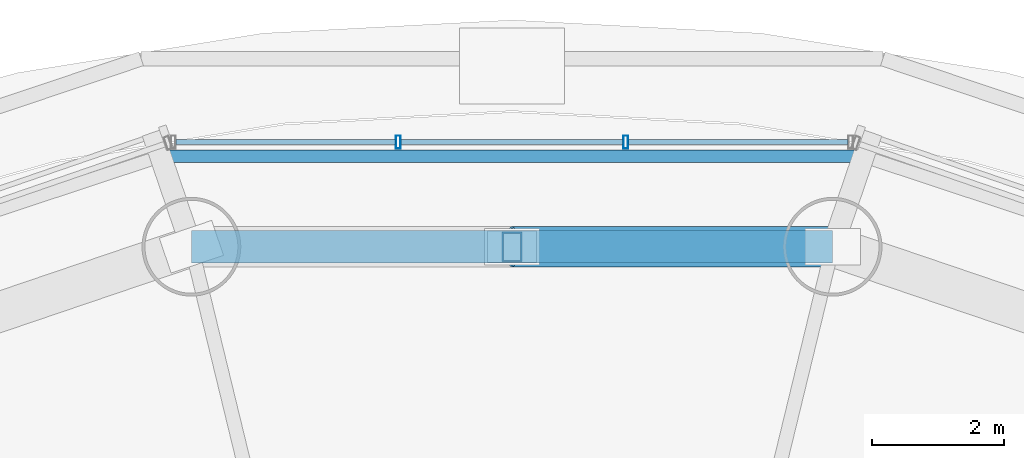
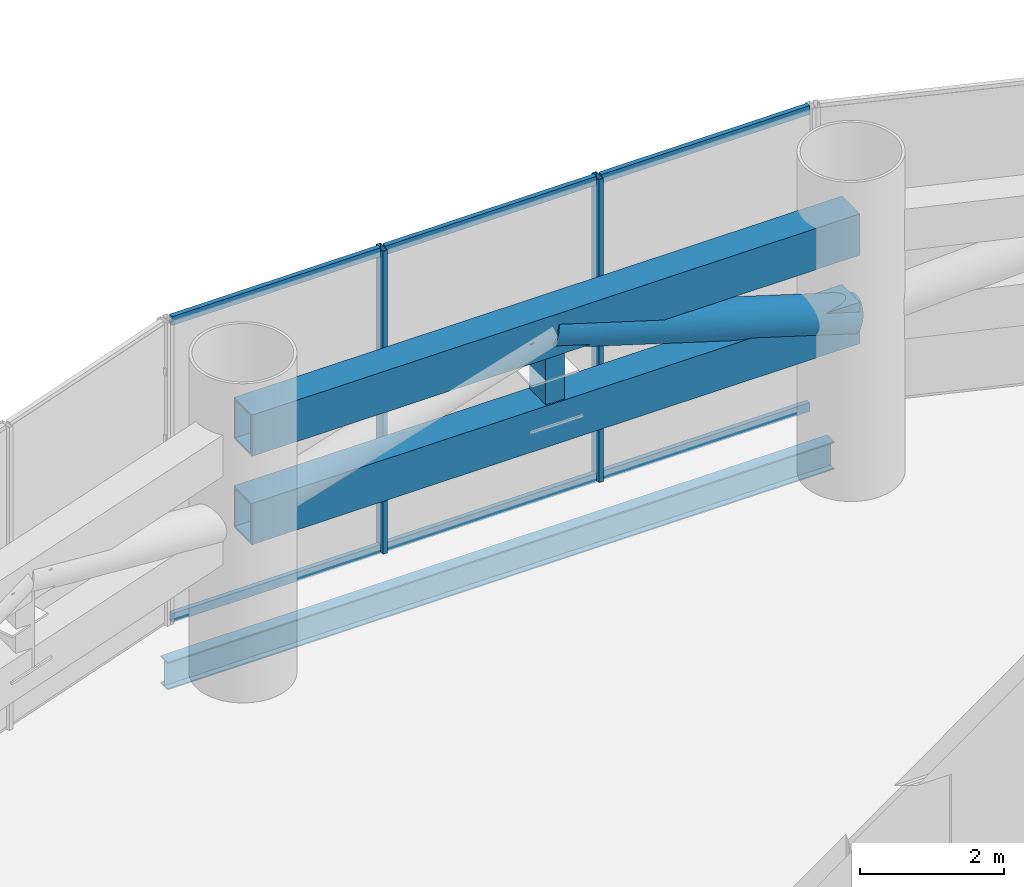
# One storey, part 21 of 33: 12 members, 1 beam, 1 element without a shape of its own.
"""IFC4 building model written with IfcOpenShell, lengths in metres."""

from ifc_helpers import new_model, si_unit, direction, frame, origin, origin_2d, place, context, subcontext, project, spatial, hollow_rectangle, hollow_circle, i_section, extrude, source, transform, mapped, material, material_profile, profile_set, type_object, element, aggregate, save


model = new_model("IFC4")

# Units and contexts
model_context = context("Model", 3, precision=1e-05, world=origin(), true_north=direction((-0.2419218956, 0.970295726276)))
body_context = subcontext(model_context, "Body", "Model", "MODEL_VIEW")
ifc_project = project(units=[si_unit("LENGTHUNIT", "METRE"), si_unit("AREAUNIT", "SQUARE_METRE"), si_unit("VOLUMEUNIT", "CUBIC_METRE"), si_unit("PLANEANGLEUNIT", "RADIAN"), si_unit("MASSUNIT", "GRAM", prefix="KILO")], contexts=[model_context])

# Site, building, storey
site_placement = place(None, origin())
site = spatial("IfcSite", under=ifc_project, at=site_placement, CompositionType="ELEMENT")
building_placement = place(site_placement, origin())
building = spatial("IfcBuilding", under=site, at=building_placement, Name="Cobrevalo Terracotta Tower", CompositionType="ELEMENT")
storey_placement = place(building_placement, frame((0.0, 0.0, 74.39990234375)))
storey = spatial("IfcBuildingStorey", under=building, at=storey_placement, Name="L19", CompositionType="ELEMENT", Elevation=74.39990234375)

# Beam
ifc_material_1 = material(Name="Steel S355", Category="steel")
ifc_material_profile_1 = material_profile(ifc_material_1, i_section(OverallWidth=0.194091796875, OverallDepth=0.468994140625, WebThickness=0.011474609375, FlangeThickness=0.0205078125, at=origin_2d()), Name="W 460x106")
ifc_profile_set_1 = profile_set([ifc_material_profile_1], Name="Steel S355")
beam_type = type_object("IfcBeamType", Name="Structural Spandrel W 460x106 (Steel S355)", PredefinedType="SPANDREL", material=ifc_profile_set_1)
beam_placement = place(storey_placement, frame((43.335693359375, 48.230224609375, -0.684326171875), z_axis=(-1.0, 0.0, 0.0), x_axis=(0.0, -1.0, 0.0)))
element("IfcBeam", 1, at=beam_placement, inside=storey, type_object=beam_type, Name="L19 perimeter ring spandrel 04", PredefinedType="SPANDREL", context=body_context, shape_type="SweptSolid", body=[
    extrude(i_section(OverallWidth=0.194091796875, OverallDepth=0.468994140625, WebThickness=0.011474609375, FlangeThickness=0.0205078125, at=origin_2d()), origin(), (0.0, 0.0, 1.0), 10.67138671875),
])

# Members
ifc_material_profile_2 = material_profile(ifc_material_1, hollow_rectangle(XDim=0.300048828125, YDim=0.449951171875, WallThickness=0.02001953125, at=origin_2d()), Name="RHS 450x300x20")
ifc_profile_set_2 = profile_set([ifc_material_profile_2], Name="Steel S355")
member_type_1 = type_object("IfcMemberType", Name="Steel Post RHS 450x300x20 (Steel S355)", PredefinedType="POST", material=ifc_profile_set_2)
shared_shape_1 = source(origin(), body_context, "Body", "SweptSolid", [
    extrude(hollow_rectangle(XDim=0.300048828125, YDim=0.449951171875, WallThickness=0.02001953125, at=origin_2d()), origin(), (0.0, 0.0, 1.0), 1.494873046875),
])
member_1_placement = place(storey_placement, frame((38.0, 46.857177734375, 2.650146484375), z_axis=(0.0, 0.0, 1.0), x_axis=(1.0, 0.0, 0.0)))
element("IfcMember", 2, at=member_1_placement, inside=storey, type_object=member_type_1, Name="L19 belt truss post 04", PredefinedType="POST", context=body_context, shape_type="MappedRepresentation", body=[
    mapped(shared_shape_1, transform((0.0, 0.0, 0.0), scale=1.0)),
])
ifc_material_profile_3 = material_profile(ifc_material_1, hollow_rectangle(XDim=0.5, YDim=0.699951171875, WallThickness=0.031982421875, at=origin_2d()), Name="RHS 700x500x32")
ifc_profile_set_3 = profile_set([ifc_material_profile_3], Name="Steel S355")
member_type_2 = type_object("IfcMemberType", Name="Steel Chord RHS 700x500x32 (Steel S355)", PredefinedType="CHORD", material=ifc_profile_set_3)
shared_shape_2 = source(origin(), body_context, "Body", "SweptSolid", [
    extrude(hollow_rectangle(XDim=0.5, YDim=0.699951171875, WallThickness=0.031982421875, at=origin_2d()), origin(), (0.0, 0.0, 1.0), 9.73486328125),
])
for number, where, z_axis, x_axis, name in (
    (3, (42.867431640625, 46.857177734375, 2.650146484375), (-1.0, 0.0, 0.0), (0.0, -1.0, 0.0), "L19 belt truss chord 04-BC"),
    (4, (42.867431640625, 46.857177734375, 4.14501953125), (-1.0, 0.0, 0.0), (0.0, -1.0, 0.0), "L19 belt truss chord 04-TC"),
):
    element("IfcMember", number, at=place(storey_placement, frame(where, z_axis=z_axis, x_axis=x_axis)), inside=storey, type_object=member_type_2, Name=name, PredefinedType="CHORD", context=body_context, shape_type="MappedRepresentation", body=[
        mapped(shared_shape_2, transform((0.0, 0.0, 0.0), scale=1.0)),
    ])
ifc_material_profile_4 = material_profile(ifc_material_1, hollow_circle(Radius=0.304931640625, WallThickness=0.02490234375, at=origin_2d()), Name="CHS 610x25")
ifc_profile_set_4 = profile_set([ifc_material_profile_4], Name="Steel S355")
member_type_3 = type_object("IfcMemberType", Name="Steel Brace CHS 610x25 (Steel S355)", PredefinedType="BRACE", material=ifc_profile_set_4)
shared_shape_3 = source(origin(), body_context, "Body", "SweptSolid", [
    extrude(hollow_circle(Radius=0.304931640625, WallThickness=0.02490234375, at=origin_2d()), origin(), (0.0, 0.0, 1.0), 5.091796875),
])
member_2_placement = place(storey_placement, frame((42.867431640625, 46.857177734375, 2.650146484375), z_axis=(-0.955933346232, 0.0, 0.293583782865), x_axis=(0.0, -1.0, 0.0)))
element("IfcMember", 5, at=member_2_placement, inside=storey, type_object=member_type_3, Name="L19 belt truss diagonal brace 04-D1", PredefinedType="BRACE", context=body_context, shape_type="MappedRepresentation", body=[
    mapped(shared_shape_3, transform((0.0, 0.0, 0.0), scale=1.0)),
])

# Curtain wall, members
ifc_material_2 = material(Name="Anodized aluminium", Category="aluminium")
curtain_wall_type = type_object("IfcCurtainWallType", Name="Belt-truss plant acoustic weather-louvre curtain wall CW-LV", PredefinedType="NOTDEFINED", material=ifc_material_2)
curtain_wall_placement = place(storey_placement, origin())
curtain_wall = element("IfcCurtainWall", 6, at=curtain_wall_placement, inside=storey, type_object=curtain_wall_type, Name="L19 curtain wall CW-LV-L19-S04", PredefinedType="NOTDEFINED")
ifc_material_profile_5 = material_profile(ifc_material_2, hollow_rectangle(XDim=0.074951171875, YDim=0.199951171875, WallThickness=0.0048828125, at=origin_2d()), Name="CWM 75x200")
ifc_profile_set_5 = profile_set([ifc_material_profile_5], Name="Anodized aluminium")
member_type_4 = type_object("IfcMemberType", Name="Lower/mid tower unitised mullion 75x200", PredefinedType="MULLION", material=ifc_profile_set_5)
shared_shape_4 = source(origin(), body_context, "Body", "SweptSolid", [
    extrude(hollow_rectangle(XDim=0.074951171875, YDim=0.199951171875, WallThickness=0.0048828125, at=origin_2d()), origin(), (0.0, 0.0, 1.0), 5.125),
])
member_3_placement = place(storey_placement, frame((39.727783203125, 48.446044921875, 0.0), z_axis=(0.0, 0.0, 1.0), x_axis=(-1.0, 0.0, 0.0)))
member_3 = element("IfcMember", 7, at=member_3_placement, type_object=member_type_4, Name="CW-LV-L19-S04 vertical mullion 02", PredefinedType="MULLION", context=body_context, shape_type="MappedRepresentation", body=[
    mapped(shared_shape_4, transform((0.0, 0.0, 0.0), scale=1.0)),
])
member_4_placement = place(storey_placement, frame((36.272216796875, 48.446044921875, 0.0), z_axis=(0.0, 0.0, 1.0), x_axis=(-1.0, 0.0, 0.0)))
member_4 = element("IfcMember", 8, at=member_4_placement, type_object=member_type_4, Name="CW-LV-L19-S04 vertical mullion 03", PredefinedType="MULLION", context=body_context, shape_type="MappedRepresentation", body=[
    mapped(shared_shape_4, transform((0.0, 0.0, 0.0), scale=1.0)),
])
ifc_material_profile_6 = material_profile(ifc_material_2, hollow_rectangle(XDim=0.074951171875, YDim=0.14990234375, WallThickness=0.00439453125, at=origin_2d()), Name="CWT 75x150")
ifc_profile_set_6 = profile_set([ifc_material_profile_6], Name="Anodized aluminium")
member_type_5 = type_object("IfcMemberType", Name="Tower unitised aluminium transom 75x150", PredefinedType="USERDEFINED", material=ifc_profile_set_6)
shared_shape_5 = source(origin(), body_context, "Body", "SweptSolid", [
    extrude(hollow_rectangle(XDim=0.074951171875, YDim=0.14990234375, WallThickness=0.00439453125, at=origin_2d()), origin(), (0.0, 0.0, 1.0), 3.335693359375),
])
member_5_placement = place(storey_placement, frame((43.103515625, 48.446044921875, 0.050048828125), z_axis=(-1.0, 0.0, 0.0), x_axis=(0.0, -1.0, 0.0)))
member_5 = element("IfcMember", 9, at=member_5_placement, type_object=member_type_5, Name="CW-LV-L19-S04 transom B01-T1", ObjectType="TRANSOM", PredefinedType="USERDEFINED", context=body_context, shape_type="MappedRepresentation", body=[
    mapped(shared_shape_5, transform((0.0, 0.0, 0.0), scale=1.0)),
])
member_6_placement = place(storey_placement, frame((43.103515625, 48.446044921875, 5.0751953125), z_axis=(-1.0, 0.0, 0.0), x_axis=(0.0, -1.0, 0.0)))
member_6 = element("IfcMember", 10, at=member_6_placement, type_object=member_type_5, Name="CW-LV-L19-S04 transom B01-T2", ObjectType="TRANSOM", PredefinedType="USERDEFINED", context=body_context, shape_type="MappedRepresentation", body=[
    mapped(shared_shape_5, transform((0.0, 0.0, 0.0), scale=1.0)),
])
member_7_placement = place(storey_placement, frame((36.232177734375, 48.446044921875, 0.050048828125), z_axis=(-1.0, 0.0, 0.0), x_axis=(0.0, -1.0, 0.0)))
member_7 = element("IfcMember", 11, at=member_7_placement, type_object=member_type_5, Name="CW-LV-L19-S04 transom B03-T1", ObjectType="TRANSOM", PredefinedType="USERDEFINED", context=body_context, shape_type="MappedRepresentation", body=[
    mapped(shared_shape_5, transform((0.0, 0.0, 0.0), scale=1.0)),
])
member_8_placement = place(storey_placement, frame((36.232177734375, 48.446044921875, 5.0751953125), z_axis=(-1.0, 0.0, 0.0), x_axis=(0.0, -1.0, 0.0)))
member_8 = element("IfcMember", 12, at=member_8_placement, type_object=member_type_5, Name="CW-LV-L19-S04 transom B03-T2", ObjectType="TRANSOM", PredefinedType="USERDEFINED", context=body_context, shape_type="MappedRepresentation", body=[
    mapped(shared_shape_5, transform((0.0, 0.0, 0.0), scale=1.0)),
])
shared_shape_6 = source(origin(), body_context, "Body", "SweptSolid", [
    extrude(hollow_rectangle(XDim=0.074951171875, YDim=0.14990234375, WallThickness=0.00439453125, at=origin_2d()), origin(), (0.0, 0.0, 1.0), 3.37548828125),
])
member_9_placement = place(storey_placement, frame((39.687744140625, 48.446044921875, 0.050048828125), z_axis=(-1.0, 0.0, 0.0), x_axis=(0.0, -1.0, 0.0)))
member_9 = element("IfcMember", 13, at=member_9_placement, type_object=member_type_5, Name="CW-LV-L19-S04 transom B02-T1", ObjectType="TRANSOM", PredefinedType="USERDEFINED", context=body_context, shape_type="MappedRepresentation", body=[
    mapped(shared_shape_6, transform((0.0, 0.0, 0.0), scale=1.0)),
])
member_10_placement = place(storey_placement, frame((39.687744140625, 48.446044921875, 5.0751953125), z_axis=(-1.0, 0.0, 0.0), x_axis=(0.0, -1.0, 0.0)))
member_10 = element("IfcMember", 14, at=member_10_placement, type_object=member_type_5, Name="CW-LV-L19-S04 transom B02-T2", ObjectType="TRANSOM", PredefinedType="USERDEFINED", context=body_context, shape_type="MappedRepresentation", body=[
    mapped(shared_shape_6, transform((0.0, 0.0, 0.0), scale=1.0)),
])
aggregate(curtain_wall, [member_3, member_4, member_5, member_6, member_9, member_10, member_7, member_8])

save(model, "model.ifc")
